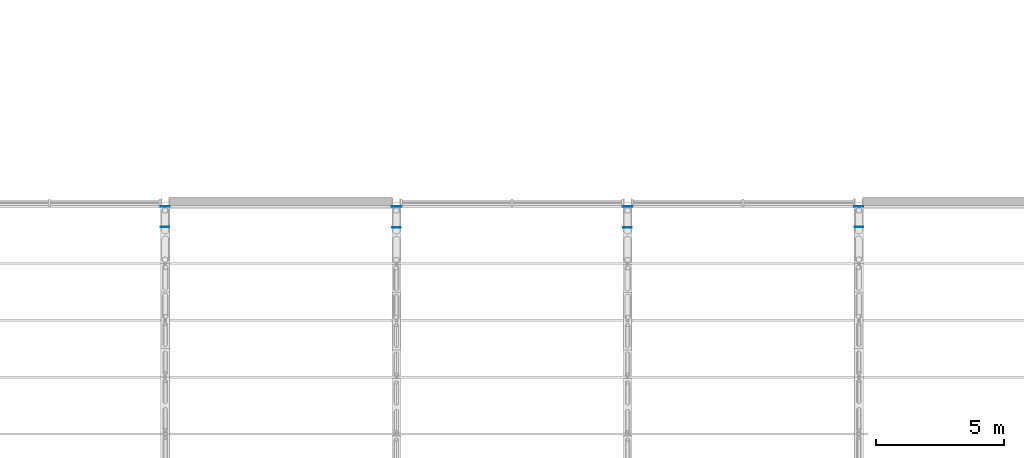
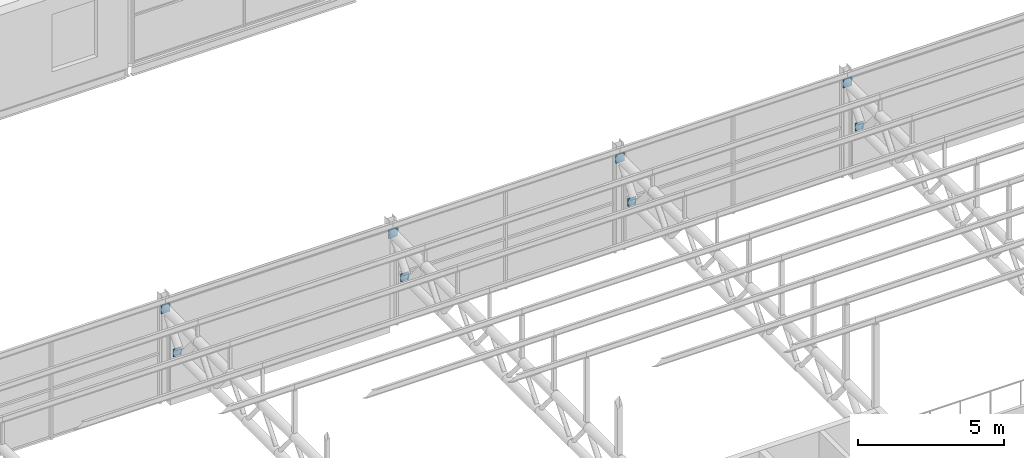
# One storey, part 105 of 138: 8 plates.
"""IFC4 building model written with IfcOpenShell, lengths in metres."""

from ifc_helpers import new_model, si_unit, direction, frame, origin, origin_2d, place, context, subcontext, project, spatial, rectangle, extrude, material, layer, layer_set, type_object, element, save


model = new_model("IFC4")

# Units and contexts
model_context = context("Model", 3, precision=1e-05, world=origin(), true_north=direction((0.0, 1.0)))
body_context = subcontext(model_context, "Body", "Model", "MODEL_VIEW")
ifc_project = project(units=[si_unit("LENGTHUNIT", "METRE"), si_unit("AREAUNIT", "SQUARE_METRE"), si_unit("VOLUMEUNIT", "CUBIC_METRE"), si_unit("PLANEANGLEUNIT", "RADIAN"), si_unit("MASSUNIT", "GRAM", prefix="KILO")], contexts=[model_context])

# Site, building, storey
site_placement = place(None, origin())
site = spatial("IfcSite", under=ifc_project, at=site_placement, CompositionType="ELEMENT")
building_placement = place(site_placement, origin())
building = spatial("IfcBuilding", under=site, at=building_placement, Name="Corbel Yard City Hall", CompositionType="ELEMENT")
storey_placement = place(building_placement, frame((0.0, 0.0, 10.5)))
storey = spatial("IfcBuildingStorey", under=building, at=storey_placement, Name="L02", CompositionType="ELEMENT", Elevation=10.5)

# Plates
ifc_material = material(Name="Steel Grade 300 (300 MPa yield)", Category="steel")
ifc_layer_1 = layer(ifc_material, 0.01611328125)
ifc_layer_set_1 = layer_set([ifc_layer_1], Name="Steel Grade 300 (300 MPa yield)")
plate_type_1 = type_object("IfcPlateType", Name="Truss bottom chord cap plate", PredefinedType="NOTDEFINED", material=ifc_layer_set_1)
for number, where, z_axis, x_axis, name in (
    (1, (36.0, 26.049560546875, 2.42724609375), (0.0, 0.0, 1.0), (1.0, 0.0, 0.0), "Truss bottom chord cap plate EP2"),
    (2, (45.0, 26.0400390625, 2.42724609375), (0.0, 0.0, 1.0), (1.0, 0.0, 0.0), "Truss bottom chord cap plate EP2"),
    (3, (54.0, 26.0400390625, 2.42724609375), (0.0, 0.0, 1.0), (1.0, 0.0, 0.0), "Truss bottom chord cap plate EP2"),
    (4, (63.0, 26.049560546875, 2.42724609375), (0.0, 0.0, 1.0), (1.0, 0.0, 0.0), "Truss bottom chord cap plate EP2"),
):
    element("IfcPlate", number, at=place(storey_placement, frame(where, z_axis=z_axis, x_axis=x_axis)), inside=storey, type_object=plate_type_1, Name=name, PredefinedType="NOTDEFINED", context=body_context, shape_type="SweptSolid", body=[
        extrude(rectangle(XDim=0.330078125, YDim=0.01611328125, at=origin_2d()), origin(), (0.0, 0.0, 1.0), 0.330078125),
    ])
ifc_layer_2 = layer(ifc_material, 0.02490234375)
ifc_layer_set_2 = layer_set([ifc_layer_2], Name="Steel Grade 300 (300 MPa yield)")
plate_type_2 = type_object("IfcPlateType", Name="Truss top chord end plate", PredefinedType="NOTDEFINED", material=ifc_layer_set_2)
for number, where, z_axis, x_axis, name in (
    (5, (36.0, 26.860107421875, 3.7421875), (0.0, 0.0, 1.0), (1.0, 0.0, 0.0), "Truss top chord end plate EP1"),
    (6, (45.0, 26.860107421875, 3.7421875), (0.0, 0.0, 1.0), (1.0, 0.0, 0.0), "Truss top chord end plate EP1"),
    (7, (54.0, 26.860107421875, 3.7421875), (0.0, 0.0, 1.0), (1.0, 0.0, 0.0), "Truss top chord end plate EP1"),
    (8, (63.0, 26.860107421875, 3.7421875), (0.0, 0.0, 1.0), (1.0, 0.0, 0.0), "Truss top chord end plate EP1"),
):
    element("IfcPlate", number, at=place(storey_placement, frame(where, z_axis=z_axis, x_axis=x_axis)), inside=storey, type_object=plate_type_2, Name=name, PredefinedType="NOTDEFINED", context=body_context, shape_type="SweptSolid", body=[
        extrude(rectangle(XDim=0.360107421875, YDim=0.02490234375, at=origin_2d()), origin(), (0.0, 0.0, 1.0), 0.360107421875),
    ])

save(model, "model.ifc")
